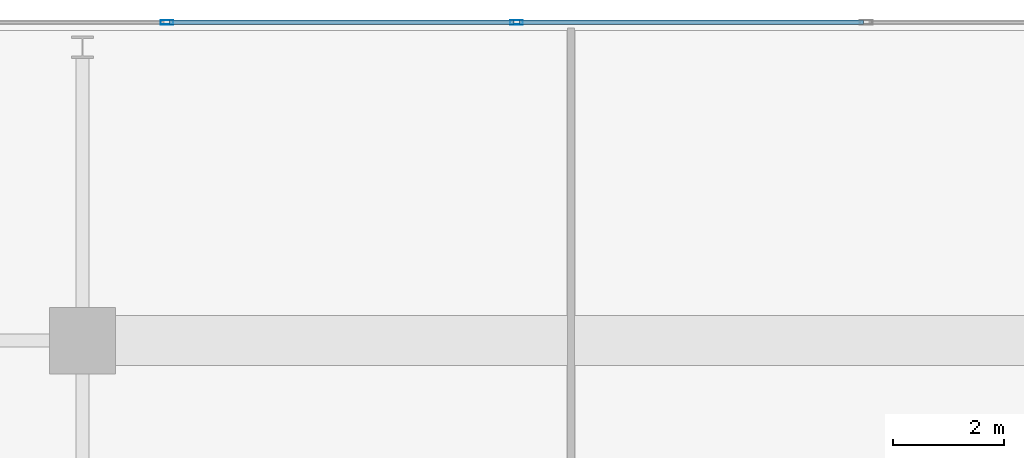
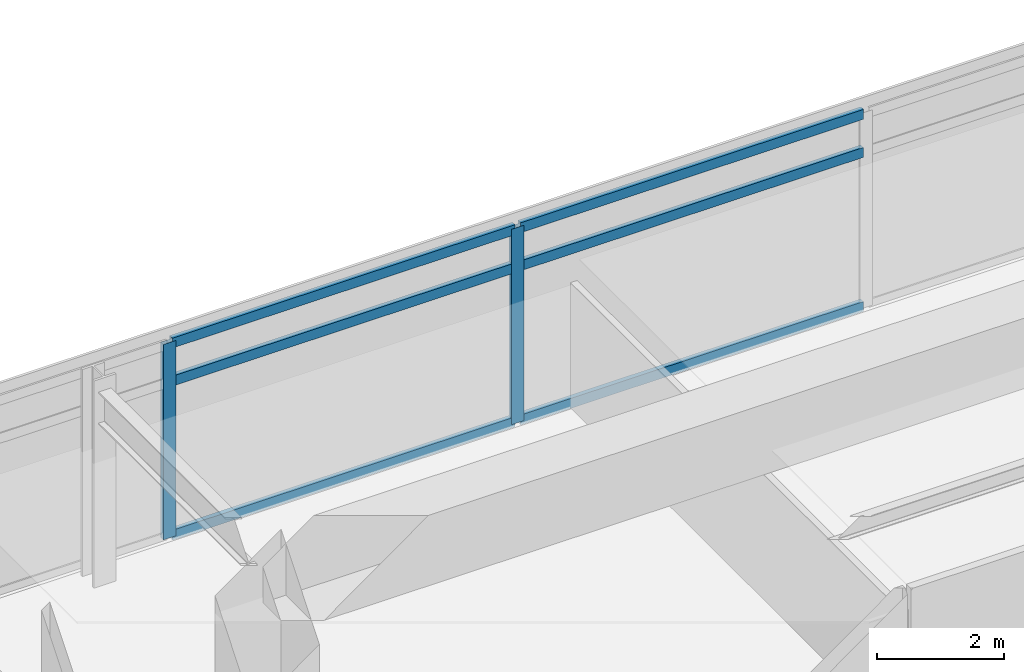
# One storey, part 11 of 24: 8 members, 1 element without a shape of its own.
"""IFC4 building model written with IfcOpenShell, lengths in metres."""

from ifc_helpers import new_model, si_unit, direction, frame, origin, origin_2d, place, context, subcontext, project, spatial, hollow_rectangle, extrude, material, material_profile, profile_set, type_object, element, aggregate, save


model = new_model("IFC4")

# Units and contexts
model_context = context("Model", 3, precision=1e-05, world=origin(), true_north=direction((0.0, 1.0)))
body_context = subcontext(model_context, "Body", "Model", "MODEL_VIEW")
ifc_project = project(units=[si_unit("LENGTHUNIT", "METRE"), si_unit("AREAUNIT", "SQUARE_METRE"), si_unit("VOLUMEUNIT", "CUBIC_METRE"), si_unit("PLANEANGLEUNIT", "RADIAN"), si_unit("MASSUNIT", "GRAM", prefix="KILO")], contexts=[model_context])

# Site, building, storey
site_placement = place(None, origin())
site = spatial("IfcSite", under=ifc_project, at=site_placement, CompositionType="ELEMENT")
building_placement = place(site_placement, origin())
building = spatial("IfcBuilding", under=site, at=building_placement, Name="Kovane Verandah Tower", CompositionType="ELEMENT")
storey_placement = place(building_placement, frame((0.0, 0.0, 271.199951171875)))
storey = spatial("IfcBuildingStorey", under=building, at=storey_placement, Name="L63", CompositionType="ELEMENT", Elevation=271.199951171875)

# Curtain wall, members
ifc_material_1 = material(Name="Champagne Anodised Aluminium Frame with Low-E Clear Laminated Glass", Category="aluminium")
curtain_wall_type = type_object("IfcCurtainWallType", Name="CW-SYS-05-HIGH", PredefinedType="NOTDEFINED", material=ifc_material_1)
curtain_wall_placement = place(storey_placement, origin())
curtain_wall = element("IfcCurtainWall", 1, at=curtain_wall_placement, inside=storey, type_object=curtain_wall_type, Name="L63 N Unitised Curtain Wall", PredefinedType="NOTDEFINED")
ifc_material_2 = material(Name="Champagne Anodised Aluminium 6063-T6", Category="aluminium")
ifc_material_profile_1 = material_profile(ifc_material_2, hollow_rectangle(XDim=0.0849609375, YDim=0.22998046875, WallThickness=0.00390625, at=origin_2d()), Name="AL85x230x4")
ifc_profile_set_1 = profile_set([ifc_material_profile_1], Name="Champagne Anodised Aluminium 6063-T6")
member_type_1 = type_object("IfcMemberType", Name="CW-MUL-85x230", PredefinedType="MULLION", material=ifc_profile_set_1)
member_1_placement = place(storey_placement, frame((36.841796875, 49.94970703125, 0.02001953125), z_axis=(0.0, 0.0, 1.0), x_axis=(0.0, 1.0, 0.0)))
member_1 = element("IfcMember", 2, at=member_1_placement, type_object=member_type_1, Name="L63 N Unitised Curtain Wall Mullion 5", PredefinedType="MULLION", context=body_context, shape_type="SweptSolid", body=[
    extrude(hollow_rectangle(XDim=0.0849609375, YDim=0.22998046875, WallThickness=0.00390625, at=origin_2d()), origin(), (0.0, 0.0, 1.0), 3.7451171875),
])
member_2_placement = place(storey_placement, frame((30.525390625, 49.94970703125, 0.02001953125), z_axis=(0.0, 0.0, 1.0), x_axis=(0.0, 1.0, 0.0)))
member_2 = element("IfcMember", 3, at=member_2_placement, type_object=member_type_1, Name="L63 N Unitised Curtain Wall Mullion 6", PredefinedType="MULLION", context=body_context, shape_type="SweptSolid", body=[
    extrude(hollow_rectangle(XDim=0.0849609375, YDim=0.22998046875, WallThickness=0.00390625, at=origin_2d()), origin(), (0.0, 0.0, 1.0), 3.7451171875),
])
ifc_material_profile_2 = material_profile(ifc_material_2, hollow_rectangle(XDim=0.0849609375, YDim=0.18994140625, WallThickness=0.00390625, at=origin_2d()), Name="AL85x190x4")
ifc_profile_set_2 = profile_set([ifc_material_profile_2], Name="Champagne Anodised Aluminium 6063-T6")
member_type_2 = type_object("IfcMemberType", Name="CW-TRN-85x190", PredefinedType="USERDEFINED", material=ifc_profile_set_2)
member_3_placement = place(storey_placement, frame((43.108154296875, 49.94970703125, 0.050048828125), z_axis=(-1.0, 0.0, 0.0), x_axis=(0.0, -1.0, 0.0)))
member_3 = element("IfcMember", 4, at=member_3_placement, type_object=member_type_2, Name="L63 N Unitised Curtain Wall Transom TB Bay 4", ObjectType="TRANSOM", PredefinedType="USERDEFINED", context=body_context, shape_type="SweptSolid", body=[
    extrude(hollow_rectangle(XDim=0.0849609375, YDim=0.18994140625, WallThickness=0.00390625, at=origin_2d()), origin(), (0.0, 0.0, 1.0), 6.21630859375),
])
member_4_placement = place(storey_placement, frame((43.108154296875, 49.94970703125, 3.005126953125), z_axis=(-1.0, 0.0, 0.0), x_axis=(0.0, -1.0, 0.0)))
member_4 = element("IfcMember", 5, at=member_4_placement, type_object=member_type_2, Name="L63 N Unitised Curtain Wall Transom TM Bay 4", ObjectType="TRANSOM", PredefinedType="USERDEFINED", context=body_context, shape_type="SweptSolid", body=[
    extrude(hollow_rectangle(XDim=0.0849609375, YDim=0.18994140625, WallThickness=0.00390625, at=origin_2d()), origin(), (0.0, 0.0, 1.0), 6.21630859375),
])
member_5_placement = place(storey_placement, frame((43.108154296875, 49.94970703125, 3.735107421875), z_axis=(-1.0, 0.0, 0.0), x_axis=(0.0, -1.0, 0.0)))
member_5 = element("IfcMember", 6, at=member_5_placement, type_object=member_type_2, Name="L63 N Unitised Curtain Wall Transom TT Bay 4", ObjectType="TRANSOM", PredefinedType="USERDEFINED", context=body_context, shape_type="SweptSolid", body=[
    extrude(hollow_rectangle(XDim=0.0849609375, YDim=0.18994140625, WallThickness=0.00390625, at=origin_2d()), origin(), (0.0, 0.0, 1.0), 6.21630859375),
])
member_6_placement = place(storey_placement, frame((36.791748046875, 49.94970703125, 0.050048828125), z_axis=(-1.0, 0.0, 0.0), x_axis=(0.0, -1.0, 0.0)))
member_6 = element("IfcMember", 7, at=member_6_placement, type_object=member_type_2, Name="L63 N Unitised Curtain Wall Transom TB Bay 5", ObjectType="TRANSOM", PredefinedType="USERDEFINED", context=body_context, shape_type="SweptSolid", body=[
    extrude(hollow_rectangle(XDim=0.0849609375, YDim=0.18994140625, WallThickness=0.00390625, at=origin_2d()), origin(), (0.0, 0.0, 1.0), 6.21630859375),
])
member_7_placement = place(storey_placement, frame((36.791748046875, 49.94970703125, 3.005126953125), z_axis=(-1.0, 0.0, 0.0), x_axis=(0.0, -1.0, 0.0)))
member_7 = element("IfcMember", 8, at=member_7_placement, type_object=member_type_2, Name="L63 N Unitised Curtain Wall Transom TM Bay 5", ObjectType="TRANSOM", PredefinedType="USERDEFINED", context=body_context, shape_type="SweptSolid", body=[
    extrude(hollow_rectangle(XDim=0.0849609375, YDim=0.18994140625, WallThickness=0.00390625, at=origin_2d()), origin(), (0.0, 0.0, 1.0), 6.21630859375),
])
member_8_placement = place(storey_placement, frame((36.791748046875, 49.94970703125, 3.735107421875), z_axis=(-1.0, 0.0, 0.0), x_axis=(0.0, -1.0, 0.0)))
member_8 = element("IfcMember", 9, at=member_8_placement, type_object=member_type_2, Name="L63 N Unitised Curtain Wall Transom TT Bay 5", ObjectType="TRANSOM", PredefinedType="USERDEFINED", context=body_context, shape_type="SweptSolid", body=[
    extrude(hollow_rectangle(XDim=0.0849609375, YDim=0.18994140625, WallThickness=0.00390625, at=origin_2d()), origin(), (0.0, 0.0, 1.0), 6.21630859375),
])
aggregate(curtain_wall, [member_1, member_2, member_3, member_4, member_5, member_6, member_7, member_8])

save(model, "model.ifc")
